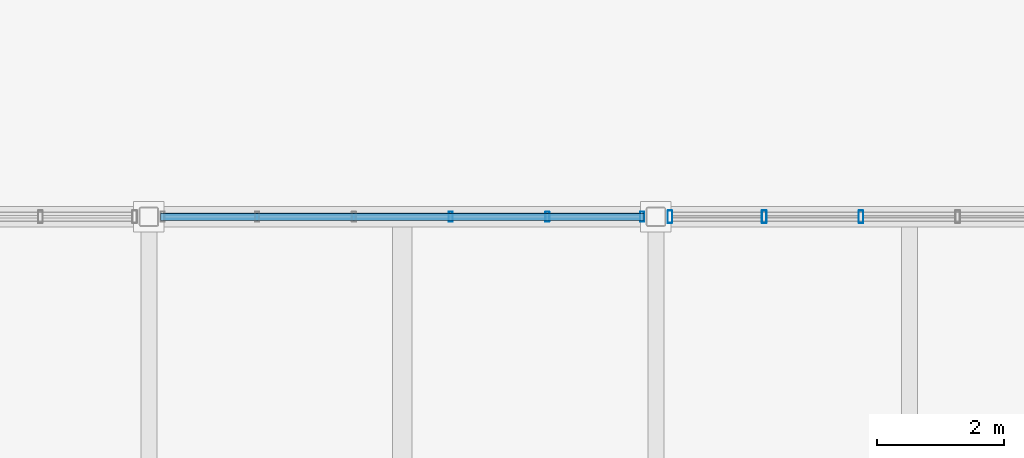
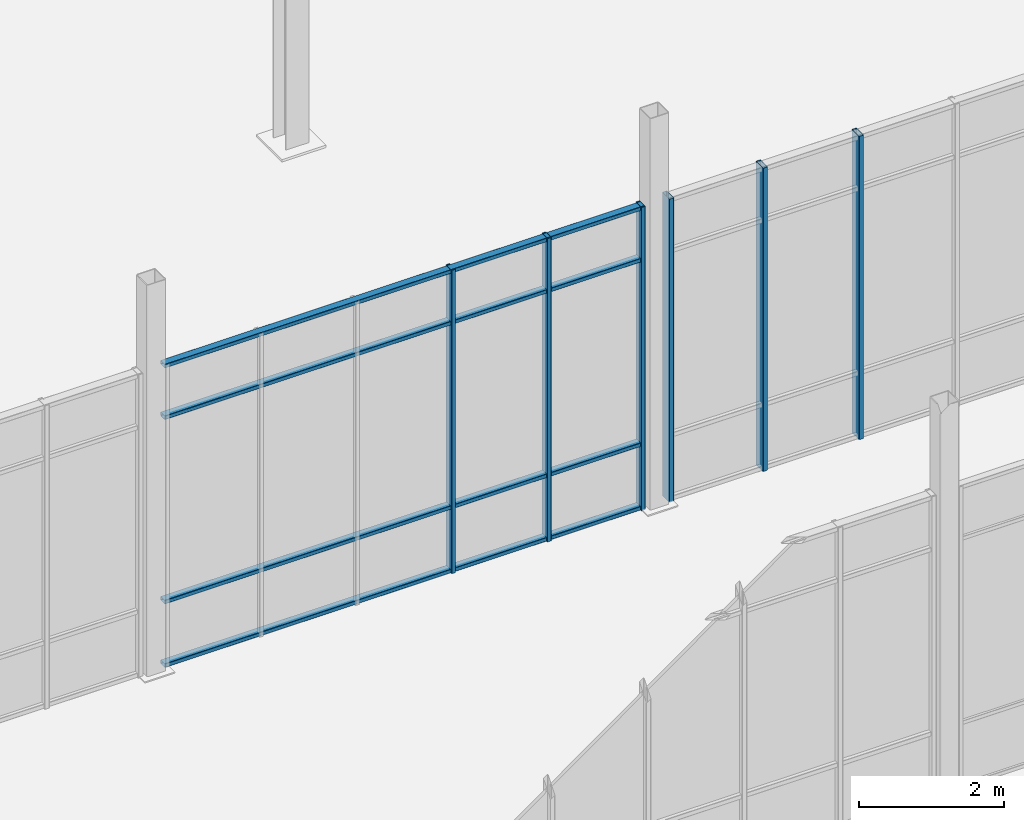
# One storey, part 52 of 140: 10 members, 2 elements without a shape of their own.
"""IFC4 building model written with IfcOpenShell, lengths in metres."""

from ifc_helpers import new_model, si_unit, direction, frame, origin, origin_2d, place, context, subcontext, project, spatial, hollow_rectangle, extrude, material, material_profile, profile_set, type_object, element, aggregate, save


model = new_model("IFC4")

# Units and contexts
model_context = context("Model", 3, precision=1e-05, world=origin(), true_north=direction((0.0, 1.0)))
body_context = subcontext(model_context, "Body", "Model", "MODEL_VIEW")
ifc_project = project(units=[si_unit("LENGTHUNIT", "METRE"), si_unit("AREAUNIT", "SQUARE_METRE"), si_unit("VOLUMEUNIT", "CUBIC_METRE"), si_unit("PLANEANGLEUNIT", "RADIAN"), si_unit("MASSUNIT", "GRAM", prefix="KILO")], contexts=[model_context])

# Site, building, storey
site_placement = place(None, origin())
site = spatial("IfcSite", under=ifc_project, at=site_placement, CompositionType="ELEMENT")
building_placement = place(site_placement, origin())
building = spatial("IfcBuilding", under=site, at=building_placement, Name="Verrall Gate Interchange", CompositionType="ELEMENT")
storey_placement = place(building_placement, origin())
storey = spatial("IfcBuildingStorey", under=building, at=storey_placement, Name="L01", CompositionType="ELEMENT", Elevation=0.0)

# Curtain wall, members
ifc_material_1 = material(Name="Thermally Broken Anodized Aluminium Curtain Wall Framing", Category="aluminium")
curtain_wall_type = type_object("IfcCurtainWallType", Name="CW-06 Unitized Curtain Wall 7631x5100", PredefinedType="NOTDEFINED", material=ifc_material_1)
curtain_wall_1_placement = place(storey_placement, origin())
curtain_wall_1 = element("IfcCurtainWall", 1, at=curtain_wall_1_placement, inside=storey, type_object=curtain_wall_type, Name="L01 Unitized Curtain Wall CW-L01-014", PredefinedType="NOTDEFINED")
ifc_material_2 = material(Name="Thermally Broken Anodized Aluminium Curtain Wall Framing", Category="aluminium")
ifc_material_profile_1 = material_profile(ifc_material_2, hollow_rectangle(XDim=0.06494140625, YDim=0.159912109375, WallThickness=0.00390625, InnerFilletRadius=0.00390625, OuterFilletRadius=0.008056640625, at=origin_2d()), Name="CWM160x65x4")
ifc_profile_set_1 = profile_set([ifc_material_profile_1], Name="Thermally Broken Anodized Aluminium Curtain Wall Framing")
member_type_1 = type_object("IfcMemberType", Name="CM-01 Curtain Mullion CWM160x65x4", PredefinedType="MULLION", material=ifc_profile_set_1)
member_1_placement = place(storey_placement, frame((115.782958984375, 56.0, 0.0), z_axis=(0.0, 0.0, 1.0), x_axis=(-1.0, 0.0, 0.0)))
member_1 = element("IfcMember", 2, at=member_1_placement, type_object=member_type_1, Name="CW-L01-014 Mullion 1", PredefinedType="MULLION", context=body_context, shape_type="SweptSolid", body=[
    extrude(hollow_rectangle(XDim=0.06494140625, YDim=0.159912109375, WallThickness=0.00390625, InnerFilletRadius=0.00390625, OuterFilletRadius=0.008056640625, at=origin_2d()), origin(), (0.0, 0.0, 1.0), 5.10009765625),
])
member_2_placement = place(storey_placement, frame((114.289306640625, 56.0, 0.0), z_axis=(0.0, 0.0, 1.0), x_axis=(-1.0, 0.0, 0.0)))
member_2 = element("IfcMember", 3, at=member_2_placement, type_object=member_type_1, Name="CW-L01-014 Mullion 2", PredefinedType="MULLION", context=body_context, shape_type="SweptSolid", body=[
    extrude(hollow_rectangle(XDim=0.06494140625, YDim=0.159912109375, WallThickness=0.00390625, InnerFilletRadius=0.00390625, OuterFilletRadius=0.008056640625, at=origin_2d()), origin(), (0.0, 0.0, 1.0), 5.10009765625),
])
member_3_placement = place(storey_placement, frame((112.76318359375, 56.0, 0.0), z_axis=(0.0, 0.0, 1.0), x_axis=(-1.0, 0.0, 0.0)))
member_3 = element("IfcMember", 4, at=member_3_placement, type_object=member_type_1, Name="CW-L01-014 Mullion 3", PredefinedType="MULLION", context=body_context, shape_type="SweptSolid", body=[
    extrude(hollow_rectangle(XDim=0.06494140625, YDim=0.159912109375, WallThickness=0.00390625, InnerFilletRadius=0.00390625, OuterFilletRadius=0.008056640625, at=origin_2d()), origin(), (0.0, 0.0, 1.0), 5.10009765625),
])

curtain_wall_2_placement = place(storey_placement, origin())
curtain_wall_2 = element("IfcCurtainWall", 5, at=curtain_wall_2_placement, inside=storey, type_object=curtain_wall_type, Name="L01 Unitized Curtain Wall CW-L01-013", PredefinedType="NOTDEFINED")
ifc_material_3 = material(Name="Thermally Broken Anodized Aluminium Curtain Wall Framing", Category="aluminium")
ifc_material_profile_2 = material_profile(ifc_material_3, hollow_rectangle(XDim=0.074951171875, YDim=0.199951171875, WallThickness=0.0048828125, InnerFilletRadius=0.0048828125, OuterFilletRadius=0.010009765625, at=origin_2d()), Name="CWM200x75x5")
ifc_profile_set_2 = profile_set([ifc_material_profile_2], Name="Thermally Broken Anodized Aluminium Curtain Wall Framing")
member_type_2 = type_object("IfcMemberType", Name="CM-02 Curtain Mullion CWM200x75x5", PredefinedType="MULLION", material=ifc_profile_set_2)
member_4_placement = place(storey_placement, frame((119.23681640625, 56.0, 0.0), z_axis=(0.0, 0.0, 1.0), x_axis=(-1.0, 0.0, 0.0)))
member_4 = element("IfcMember", 6, at=member_4_placement, type_object=member_type_2, Name="CW-L01-013 Mullion 4", PredefinedType="MULLION", context=body_context, shape_type="SweptSolid", body=[
    extrude(hollow_rectangle(XDim=0.074951171875, YDim=0.199951171875, WallThickness=0.0048828125, InnerFilletRadius=0.0048828125, OuterFilletRadius=0.010009765625, at=origin_2d()), origin(), (0.0, 0.0, 1.0), 5.10009765625),
])
member_5_placement = place(storey_placement, frame((117.710693359375, 56.0, 0.0), z_axis=(0.0, 0.0, 1.0), x_axis=(-1.0, 0.0, 0.0)))
member_5 = element("IfcMember", 7, at=member_5_placement, type_object=member_type_2, Name="CW-L01-013 Mullion 5", PredefinedType="MULLION", context=body_context, shape_type="SweptSolid", body=[
    extrude(hollow_rectangle(XDim=0.074951171875, YDim=0.199951171875, WallThickness=0.0048828125, InnerFilletRadius=0.0048828125, OuterFilletRadius=0.010009765625, at=origin_2d()), origin(), (0.0, 0.0, 1.0), 5.10009765625),
])
member_6_placement = place(storey_placement, frame((116.221923828125, 56.0, 0.0), z_axis=(0.0, 0.0, 1.0), x_axis=(-1.0, 0.0, 0.0)))
member_6 = element("IfcMember", 8, at=member_6_placement, type_object=member_type_2, Name="CW-L01-013 Mullion 6", PredefinedType="MULLION", context=body_context, shape_type="SweptSolid", body=[
    extrude(hollow_rectangle(XDim=0.074951171875, YDim=0.199951171875, WallThickness=0.0048828125, InnerFilletRadius=0.0048828125, OuterFilletRadius=0.010009765625, at=origin_2d()), origin(), (0.0, 0.0, 1.0), 5.10009765625),
])
aggregate(curtain_wall_2, [member_4, member_5, member_6])

# Member
ifc_material_4 = material(Name="Thermally Broken Anodized Aluminium Curtain Wall Framing", Category="aluminium")
ifc_material_profile_3 = material_profile(ifc_material_4, hollow_rectangle(XDim=0.1201171875, YDim=0.06494140625, WallThickness=0.00390625, InnerFilletRadius=0.00390625, OuterFilletRadius=0.008056640625, at=origin_2d()), Name="CWT120x65x4")
ifc_profile_set_3 = profile_set([ifc_material_profile_3], Name="Thermally Broken Anodized Aluminium Curtain Wall Framing")
member_type_3 = type_object("IfcMemberType", Name="CT-01 Curtain Transom CWT120x65x4", PredefinedType="USERDEFINED", material=ifc_profile_set_3)
member_7_placement = place(storey_placement, frame((115.8154296875, 56.0, 0.032470703125), z_axis=(-1.0, 0.0, 0.0), x_axis=(0.0, -1.0, 0.0)))
member_7 = element("IfcMember", 9, at=member_7_placement, type_object=member_type_3, Name="CW-L01-014 Transom 1", ObjectType="TRANSOM", PredefinedType="USERDEFINED", context=body_context, shape_type="SweptSolid", body=[
    extrude(hollow_rectangle(XDim=0.1201171875, YDim=0.06494140625, WallThickness=0.00390625, InnerFilletRadius=0.00390625, OuterFilletRadius=0.008056640625, at=origin_2d()), origin(), (0.0, 0.0, 1.0), 7.630859375),
])

member_8_placement = place(storey_placement, frame((115.8154296875, 56.0, 1.10009765625), z_axis=(-1.0, 0.0, 0.0), x_axis=(0.0, -1.0, 0.0)))
member_8 = element("IfcMember", 10, at=member_8_placement, type_object=member_type_3, Name="CW-L01-014 Transom 2", ObjectType="TRANSOM", PredefinedType="USERDEFINED", context=body_context, shape_type="SweptSolid", body=[
    extrude(hollow_rectangle(XDim=0.1201171875, YDim=0.06494140625, WallThickness=0.00390625, InnerFilletRadius=0.00390625, OuterFilletRadius=0.008056640625, at=origin_2d()), origin(), (0.0, 0.0, 1.0), 7.630859375),
])

member_9_placement = place(storey_placement, frame((115.8154296875, 56.0, 4.199951171875), z_axis=(-1.0, 0.0, 0.0), x_axis=(0.0, -1.0, 0.0)))
member_9 = element("IfcMember", 11, at=member_9_placement, type_object=member_type_3, Name="CW-L01-014 Transom 3", ObjectType="TRANSOM", PredefinedType="USERDEFINED", context=body_context, shape_type="SweptSolid", body=[
    extrude(hollow_rectangle(XDim=0.1201171875, YDim=0.06494140625, WallThickness=0.00390625, InnerFilletRadius=0.00390625, OuterFilletRadius=0.008056640625, at=origin_2d()), origin(), (0.0, 0.0, 1.0), 7.630859375),
])

member_10_placement = place(storey_placement, frame((115.8154296875, 56.0, 5.0673828125), z_axis=(-1.0, 0.0, 0.0), x_axis=(0.0, -1.0, 0.0)))
member_10 = element("IfcMember", 12, at=member_10_placement, type_object=member_type_3, Name="CW-L01-014 Transom 4", ObjectType="TRANSOM", PredefinedType="USERDEFINED", context=body_context, shape_type="SweptSolid", body=[
    extrude(hollow_rectangle(XDim=0.1201171875, YDim=0.06494140625, WallThickness=0.00390625, InnerFilletRadius=0.00390625, OuterFilletRadius=0.008056640625, at=origin_2d()), origin(), (0.0, 0.0, 1.0), 7.630859375),
])

aggregate(curtain_wall_1, [member_1, member_2, member_3, member_7, member_8, member_9, member_10])

save(model, "model.ifc")
